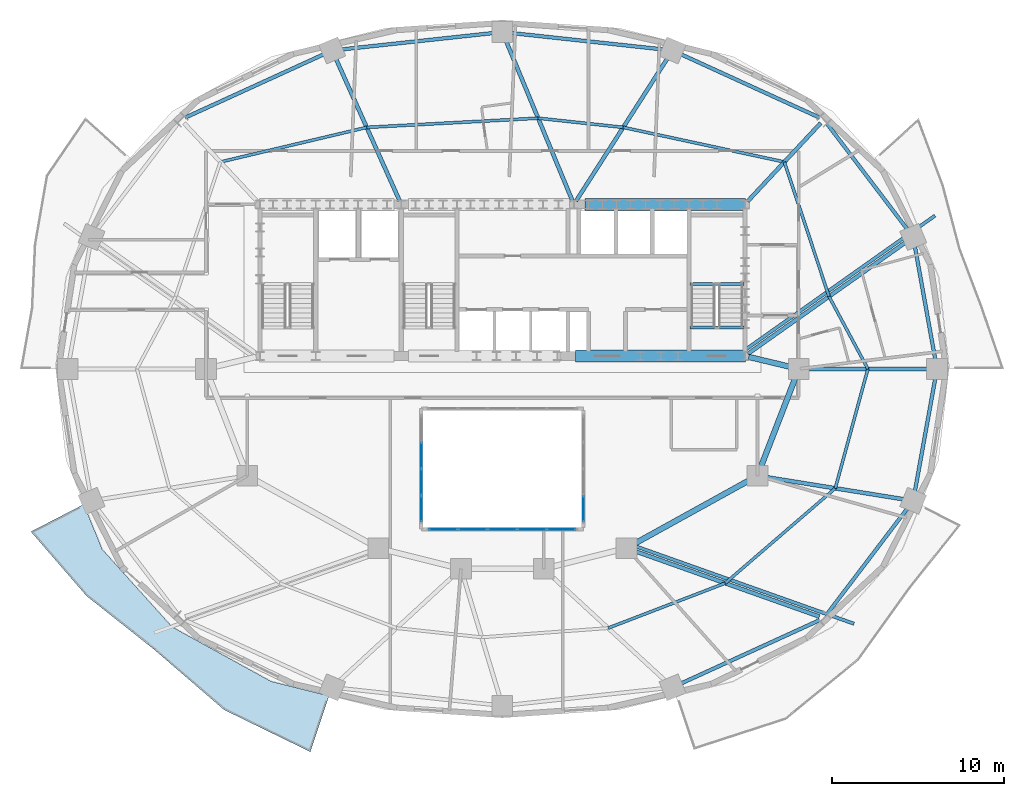
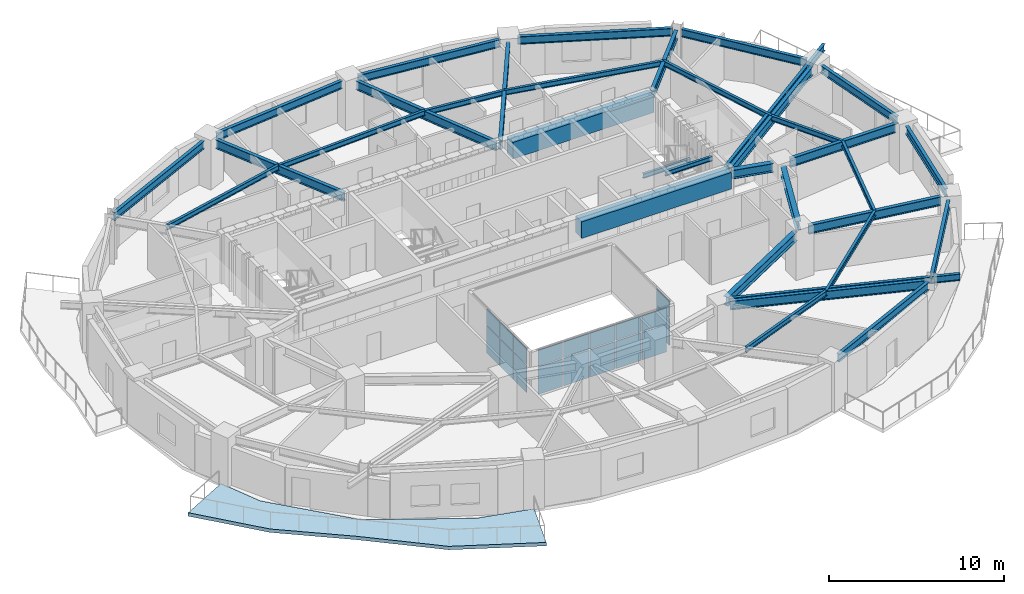
# One storey, part 4 of 13: 35 beams, 18 plates, 1 slab, 3 elements without a shape of their own.
"""IFC4 building model written with IfcOpenShell, lengths in metres."""

from ifc_helpers import new_model, si_unit, direction, frame, origin, origin_2d, place, context, subcontext, project, spatial, polyline, rectangle, i_section, outline, extrude, material, layer, layer_set, material_profile, profile_set, type_object, element, aggregate, save


model = new_model("IFC4")

# Units and contexts
model_context = context("Model", 3, precision=1e-05, world=origin(), true_north=direction((0.0, 1.0)))
body_context = subcontext(model_context, "Body", "Model", "MODEL_VIEW")
ifc_project = project(units=[si_unit("LENGTHUNIT", "METRE"), si_unit("AREAUNIT", "SQUARE_METRE"), si_unit("VOLUMEUNIT", "CUBIC_METRE"), si_unit("PLANEANGLEUNIT", "RADIAN"), si_unit("MASSUNIT", "GRAM", prefix="KILO")], contexts=[model_context])

# Site, building, storey
site_placement = place(None, origin())
site = spatial("IfcSite", under=ifc_project, at=site_placement, CompositionType="ELEMENT")
building_placement = place(site_placement, origin())
building = spatial("IfcBuilding", under=site, at=building_placement, Name="Haldorwick Loom Tower", CompositionType="ELEMENT")
storey_placement = place(building_placement, frame((0.0, 0.0, 139.10009765625)))
storey = spatial("IfcBuildingStorey", under=building, at=storey_placement, Name="L37", CompositionType="ELEMENT", Elevation=139.10009765625)

# Beams
ifc_material_1 = material(Name="Steel CSA G40.21 350W", Category="steel")
ifc_material_profile_1 = material_profile(ifc_material_1, i_section(OverallWidth=0.193115234375, OverallDepth=0.466064453125, WebThickness=0.011474609375, FlangeThickness=0.01904296875, at=origin_2d()), Name="W460X97", Category="steel")
ifc_profile_set_1 = profile_set([ifc_material_profile_1], Name="Steel CSA G40.21 350W")
beam_type_1 = type_object("IfcBeamType", Name="STR-BM-BAL460", PredefinedType="BEAM", material=ifc_profile_set_1)
beam_1_placement = place(storey_placement, frame((43.78369140625, 15.68994140625, 2.976806640625), z_axis=(0.942447955832, -0.334352883266, 0.0), x_axis=(0.334352883266, 0.942447955832, 0.0)))
element("IfcBeam", 1, at=beam_1_placement, inside=storey, type_object=beam_type_1, Name="L37 Continuous Back-Spanned Balcony Beam 1", PredefinedType="BEAM", context=body_context, shape_type="SweptSolid", body=[
    extrude(i_section(OverallWidth=0.193115234375, OverallDepth=0.466064453125, WebThickness=0.011474609375, FlangeThickness=0.01904296875, at=origin_2d()), origin(), (0.0, 0.0, 1.0), 13.385009765625),
])
beam_2_placement = place(storey_placement, frame((50.092041015625, 27.1083984375, 2.976806640625), z_axis=(0.816570288691, 0.577246016554, 0.0), x_axis=(-0.577246016554, 0.816570288691, 0.0)))
element("IfcBeam", 2, at=beam_2_placement, inside=storey, type_object=beam_type_1, Name="L37 Continuous Back-Spanned Balcony Beam 4", PredefinedType="BEAM", context=body_context, shape_type="SweptSolid", body=[
    extrude(i_section(OverallWidth=0.193115234375, OverallDepth=0.466064453125, WebThickness=0.011474609375, FlangeThickness=0.01904296875, at=origin_2d()), origin(), (0.0, 0.0, 1.0), 13.485107421875),
])
ifc_material_2 = material(Name="Concrete C60 (60 MPa)", Category="concrete")
ifc_material_profile_2 = material_profile(ifc_material_2, rectangle(XDim=0.699951171875, YDim=1.14990234375, at=origin_2d()), Name="RC700X1150", Category="concrete")
ifc_profile_set_2 = profile_set([ifc_material_profile_2], Name="Concrete C60 (60 MPa)")
beam_type_2 = type_object("IfcBeamType", Name="STR-BM-CB1150", PredefinedType="LINTEL", material=ifc_profile_set_2)
beam_3_placement = place(storey_placement, frame((40.800048828125, 35.550048828125, 2.635009765625), z_axis=(1.0, 0.0, 0.0), x_axis=(0.0, 1.0, 0.0)))
element("IfcBeam", 3, at=beam_3_placement, inside=storey, type_object=beam_type_2, Name="L37 Core Coupling Beam CB-N3", PredefinedType="LINTEL", context=body_context, shape_type="SweptSolid", body=[
    extrude(rectangle(XDim=0.699951171875, YDim=1.14990234375, at=origin_2d()), origin(), (0.0, 0.0, 1.0), 9.300048828125),
])
beam_4_placement = place(storey_placement, frame((40.25, 26.75, 2.635009765625), z_axis=(1.0, 0.0, 0.0), x_axis=(0.0, 1.0, 0.0)))
element("IfcBeam", 4, at=beam_4_placement, inside=storey, type_object=beam_type_2, Name="L37 Core Coupling Beam CB-S3", PredefinedType="LINTEL", context=body_context, shape_type="SweptSolid", body=[
    extrude(rectangle(XDim=0.699951171875, YDim=1.14990234375, at=origin_2d()), origin(), (0.0, 0.0, 1.0), 9.85009765625),
])
ifc_material_profile_3 = material_profile(ifc_material_1, i_section(OverallWidth=0.172119140625, OverallDepth=0.35791015625, WebThickness=0.0078125, FlangeThickness=0.01318359375, at=origin_2d()), Name="W360X57", Category="steel")
ifc_profile_set_3 = profile_set([ifc_material_profile_3], Name="Steel CSA G40.21 350W")
beam_type_3 = type_object("IfcBeamType", Name="STR-BM-J360", PredefinedType="JOIST", material=ifc_profile_set_3)
beam_5_placement = place(storey_placement, frame((57.20849609375, 26.0, 3.031005859375), z_axis=(-0.472930162238, 0.881099915813, 0.0), x_axis=(-0.881099915813, -0.472930162238, 0.0)))
element("IfcBeam", 5, at=beam_5_placement, inside=storey, type_object=beam_type_3, Name="L37 Mid-Bay Secondary Joist 1", PredefinedType="JOIST", context=body_context, shape_type="SweptSolid", body=[
    extrude(i_section(OverallWidth=0.172119140625, OverallDepth=0.35791015625, WebThickness=0.0078125, FlangeThickness=0.01318359375, at=origin_2d()), origin(), (0.0, 0.0, 1.0), 4.76904296875),
])
beam_6_placement = place(storey_placement, frame((54.953125, 30.201904296875, 3.031005859375), z_axis=(-0.314980632705, 0.949098098734, 0.0), x_axis=(-0.949098098734, -0.314980632705, 0.0)))
element("IfcBeam", 6, at=beam_6_placement, inside=storey, type_object=beam_type_3, Name="L37 Mid-Bay Secondary Joist 2", PredefinedType="JOIST", context=body_context, shape_type="SweptSolid", body=[
    extrude(i_section(OverallWidth=0.172119140625, OverallDepth=0.35791015625, WebThickness=0.0078125, FlangeThickness=0.01318359375, at=origin_2d()), origin(), (0.0, 0.0, 1.0), 8.223876953125),
])
beam_7_placement = place(storey_placement, frame((52.36279296875, 38.007080078125, 3.031005859375), z_axis=(-0.977737366421, 0.209832414808, 0.0), x_axis=(-0.209832414808, -0.977737366421, 0.0)))
element("IfcBeam", 7, at=beam_7_placement, inside=storey, type_object=beam_type_3, Name="L37 Mid-Bay Secondary Joist 3", PredefinedType="JOIST", context=body_context, shape_type="SweptSolid", body=[
    extrude(i_section(OverallWidth=0.172119140625, OverallDepth=0.35791015625, WebThickness=0.0078125, FlangeThickness=0.01318359375, at=origin_2d()), origin(), (0.0, 0.0, 1.0), 9.56396484375),
])
beam_8_placement = place(storey_placement, frame((43.01171875, 40.013916015625, 3.031005859375), z_axis=(-0.994212584227, 0.107430616514, 0.0), x_axis=(-0.107430616514, -0.994212584227, 0.0)))
element("IfcBeam", 8, at=beam_8_placement, inside=storey, type_object=beam_type_3, Name="L37 Mid-Bay Secondary Joist 4", PredefinedType="JOIST", context=body_context, shape_type="SweptSolid", body=[
    extrude(i_section(OverallWidth=0.172119140625, OverallDepth=0.35791015625, WebThickness=0.0078125, FlangeThickness=0.01318359375, at=origin_2d()), origin(), (0.0, 0.0, 1.0), 4.965576171875),
])
beam_9_placement = place(storey_placement, frame((38.074951171875, 40.54736328125, 3.031005859375), z_axis=(-0.998564927415, -0.053554511828, 0.0), x_axis=(0.053554511828, -0.998564927415, 0.0)))
element("IfcBeam", 9, at=beam_9_placement, inside=storey, type_object=beam_type_3, Name="L37 Mid-Bay Secondary Joist 5", PredefinedType="JOIST", context=body_context, shape_type="SweptSolid", body=[
    extrude(i_section(OverallWidth=0.172119140625, OverallDepth=0.35791015625, WebThickness=0.0078125, FlangeThickness=0.01318359375, at=origin_2d()), origin(), (0.0, 0.0, 1.0), 9.9609375),
])
beam_10_placement = place(storey_placement, frame((28.12841796875, 40.013916015625, 3.031005859375), z_axis=(-0.973189168086, -0.230006180612, 0.0), x_axis=(0.230006180612, -0.973189168086, 0.0)))
element("IfcBeam", 10, at=beam_10_placement, inside=storey, type_object=beam_type_3, Name="L37 Mid-Bay Secondary Joist 6", PredefinedType="JOIST", context=body_context, shape_type="SweptSolid", body=[
    extrude(i_section(OverallWidth=0.172119140625, OverallDepth=0.35791015625, WebThickness=0.0078125, FlangeThickness=0.01318359375, at=origin_2d()), origin(), (0.0, 0.0, 1.0), 8.72509765625),
])
beam_11_placement = place(storey_placement, frame((42.13671875, 10.961181640625, 3.031005859375), z_axis=(0.933586737031, 0.358351509609, 0.0), x_axis=(-0.358351509609, 0.933586737031, 0.0)))
element("IfcBeam", 11, at=beam_11_placement, inside=storey, type_object=beam_type_3, Name="L37 Mid-Bay Secondary Joist 14", PredefinedType="JOIST", context=body_context, shape_type="SweptSolid", body=[
    extrude(i_section(OverallWidth=0.172119140625, OverallDepth=0.35791015625, WebThickness=0.0078125, FlangeThickness=0.01318359375, at=origin_2d()), origin(), (0.0, 0.0, 1.0), 7.274169921875),
])
beam_12_placement = place(storey_placement, frame((48.927734375, 13.56787109375, 3.031005859375), z_axis=(0.75763401328, 0.652679631918, 0.0), x_axis=(-0.652679631918, 0.75763401328, 0.0)))
element("IfcBeam", 12, at=beam_12_placement, inside=storey, type_object=beam_type_3, Name="L37 Mid-Bay Secondary Joist 15", PredefinedType="JOIST", context=body_context, shape_type="SweptSolid", body=[
    extrude(i_section(OverallWidth=0.172119140625, OverallDepth=0.35791015625, WebThickness=0.0078125, FlangeThickness=0.01318359375, at=origin_2d()), origin(), (0.0, 0.0, 1.0), 8.4345703125),
])
beam_13_placement = place(storey_placement, frame((55.318115234375, 19.072998046875, 3.031005859375), z_axis=(0.263272762578, 0.964721437766, 0.0), x_axis=(-0.964721437766, 0.263272762578, 0.0)))
element("IfcBeam", 13, at=beam_13_placement, inside=storey, type_object=beam_type_3, Name="L37 Mid-Bay Secondary Joist 16", PredefinedType="JOIST", context=body_context, shape_type="SweptSolid", body=[
    extrude(i_section(OverallWidth=0.172119140625, OverallDepth=0.35791015625, WebThickness=0.0078125, FlangeThickness=0.01318359375, at=origin_2d()), origin(), (0.0, 0.0, 1.0), 7.180419921875),
])
ifc_material_profile_4 = material_profile(ifc_material_1, i_section(OverallWidth=0.2119140625, OverallDepth=0.5439453125, WebThickness=0.01318359375, FlangeThickness=0.021240234375, at=origin_2d()), Name="W530X123", Category="steel")
ifc_profile_set_4 = profile_set([ifc_material_profile_4], Name="Steel CSA G40.21 350W")
beam_type_4 = type_object("IfcBeamType", Name="STR-BM-SP530", PredefinedType="SPANDREL", material=ifc_profile_set_4)
beam_14_placement = place(storey_placement, frame((61.124755859375, 26.51171875, 2.93798828125), z_axis=(-0.177558730702, 0.984110205796, 0.0), x_axis=(-0.984110205796, -0.177558730702, 0.0)))
element("IfcBeam", 14, at=beam_14_placement, inside=storey, type_object=beam_type_4, Name="L37 Perimeter Spandrel 1", PredefinedType="SPANDREL", context=body_context, shape_type="SweptSolid", body=[
    extrude(i_section(OverallWidth=0.2119140625, OverallDepth=0.5439453125, WebThickness=0.01318359375, FlangeThickness=0.021240234375, at=origin_2d()), origin(), (0.0, 0.0, 1.0), 6.737548828125),
])
beam_15_placement = place(storey_placement, frame((59.521240234375, 34.067626953125, 2.93798828125), z_axis=(-0.605421356486, 0.795905133236, 0.0), x_axis=(-0.795905133236, -0.605421356486, 0.0)))
element("IfcBeam", 15, at=beam_15_placement, inside=storey, type_object=beam_type_4, Name="L37 Perimeter Spandrel 2", PredefinedType="SPANDREL", context=body_context, shape_type="SweptSolid", body=[
    extrude(i_section(OverallWidth=0.2119140625, OverallDepth=0.5439453125, WebThickness=0.01318359375, FlangeThickness=0.021240234375, at=origin_2d()), origin(), (0.0, 0.0, 1.0), 7.761962890625),
])
beam_16_placement = place(storey_placement, frame((54.405517578125, 40.57861328125, 2.93798828125), z_axis=(-0.909534296496, 0.415628877121, 0.0), x_axis=(-0.415628877121, -0.909534296496, 0.0)))
element("IfcBeam", 16, at=beam_16_placement, inside=storey, type_object=beam_type_4, Name="L37 Perimeter Spandrel 3", PredefinedType="SPANDREL", context=body_context, shape_type="SweptSolid", body=[
    extrude(i_section(OverallWidth=0.2119140625, OverallDepth=0.5439453125, WebThickness=0.01318359375, FlangeThickness=0.021240234375, at=origin_2d()), origin(), (0.0, 0.0, 1.0), 8.86083984375),
])
for number, where, z_axis, x_axis, name in (
    (17, (45.356201171875, 44.533447265625, 2.93798828125), (-0.994210140187, 0.107453232386, 0.0), (-0.107453232386, -0.994210140187, 0.0), "L37 Perimeter Spandrel 4"),
    (18, (35.48291015625, 45.48876953125, 2.93798828125), (-0.994210140187, -0.107453232386, 0.0), (0.107453232386, -0.994210140187, 0.0), "L37 Perimeter Spandrel 5"),
):
    element("IfcBeam", number, at=place(storey_placement, frame(where, z_axis=z_axis, x_axis=x_axis)), inside=storey, type_object=beam_type_4, Name=name, PredefinedType="SPANDREL", context=body_context, shape_type="SweptSolid", body=[
        extrude(i_section(OverallWidth=0.2119140625, OverallDepth=0.5439453125, WebThickness=0.01318359375, FlangeThickness=0.021240234375, at=origin_2d()), origin(), (0.0, 0.0, 1.0), 8.890625),
    ])
for number, where, z_axis, x_axis, name in (
    (19, (25.65380859375, 44.261474609375, 2.93798828125), (-0.909534296496, -0.415628877121, 0.0), (0.415628877121, -0.909534296496, 0.0), "L37 Perimeter Spandrel 6"),
    (20, (46.34619140625, 7.738525390625, 2.93798828125), (0.909534296496, 0.415628877121, 0.0), (-0.415628877121, 0.909534296496, 0.0), "L37 Perimeter Spandrel 14"),
):
    element("IfcBeam", number, at=place(storey_placement, frame(where, z_axis=z_axis, x_axis=x_axis)), inside=storey, type_object=beam_type_4, Name=name, PredefinedType="SPANDREL", context=body_context, shape_type="SweptSolid", body=[
        extrude(i_section(OverallWidth=0.2119140625, OverallDepth=0.5439453125, WebThickness=0.01318359375, FlangeThickness=0.021240234375, at=origin_2d()), origin(), (0.0, 0.0, 1.0), 8.86083984375),
    ])
beam_17_placement = place(storey_placement, frame((54.822021484375, 11.754638671875, 2.93798828125), z_axis=(0.605421356486, 0.795905133236, 0.0), x_axis=(-0.795905133236, 0.605421356486, 0.0)))
element("IfcBeam", 21, at=beam_17_placement, inside=storey, type_object=beam_type_4, Name="L37 Perimeter Spandrel 15", PredefinedType="SPANDREL", context=body_context, shape_type="SweptSolid", body=[
    extrude(i_section(OverallWidth=0.2119140625, OverallDepth=0.5439453125, WebThickness=0.01318359375, FlangeThickness=0.021240234375, at=origin_2d()), origin(), (0.0, 0.0, 1.0), 7.761962890625),
])
beam_18_placement = place(storey_placement, frame((59.928466796875, 18.85791015625, 2.93798828125), z_axis=(0.177558730702, 0.984110205796, 0.0), x_axis=(-0.984110205796, 0.177558730702, 0.0)))
element("IfcBeam", 22, at=beam_18_placement, inside=storey, type_object=beam_type_4, Name="L37 Perimeter Spandrel 16", PredefinedType="SPANDREL", context=body_context, shape_type="SweptSolid", body=[
    extrude(i_section(OverallWidth=0.2119140625, OverallDepth=0.5439453125, WebThickness=0.01318359375, FlangeThickness=0.021240234375, at=origin_2d()), origin(), (0.0, 0.0, 1.0), 6.737548828125),
])
ifc_material_profile_5 = material_profile(ifc_material_1, i_section(OverallWidth=0.166015625, OverallDepth=0.31298828125, WebThickness=0.006591796875, FlangeThickness=0.01123046875, at=origin_2d()), Name="W310X45", Category="steel")
ifc_profile_set_5 = profile_set([ifc_material_profile_5], Name="Steel CSA G40.21 350W")
beam_type_5 = type_object("IfcBeamType", Name="STR-BM-STRM", PredefinedType="BEAM", material=ifc_profile_set_5)
for number, where, z_axis, x_axis, name in (
    (23, (46.889892578125, 28.39990234375, 3.053466796875), (1.0, 0.0, 0.0), (0.0, 1.0, 0.0), "L37 Stair ST-02 Landing Edge Trimmer"),
    (24, (46.889892578125, 30.919921875, 1.368408203125), (1.0, 0.0, 0.0), (0.0, 1.0, 0.0), "L37 Stair ST-02 Half-Landing Trimmer 1"),
):
    element("IfcBeam", number, at=place(storey_placement, frame(where, z_axis=z_axis, x_axis=x_axis)), inside=storey, type_object=beam_type_5, Name=name, PredefinedType="BEAM", context=body_context, shape_type="SweptSolid", body=[
        extrude(i_section(OverallWidth=0.166015625, OverallDepth=0.31298828125, WebThickness=0.006591796875, FlangeThickness=0.01123046875, at=origin_2d()), origin(), (0.0, 0.0, 1.0), 3.1201171875),
    ])
ifc_material_profile_6 = material_profile(ifc_material_1, i_section(OverallWidth=0.324951171875, OverallDepth=0.615966796875, WebThickness=0.013916015625, FlangeThickness=0.021484375, at=origin_2d()), Name="W610X174", Category="steel")
ifc_profile_set_6 = profile_set([ifc_material_profile_6], Name="Steel CSA G40.21 350W")
beam_type_6 = type_object("IfcBeamType", Name="STR-BM-W610A", PredefinedType="BEAM", material=ifc_profile_set_6)
beam_19_placement = place(storey_placement, frame((50.288818359375, 26.697509765625, 2.90185546875), z_axis=(0.97247055837, -0.233025777764, 0.0), x_axis=(0.233025777764, 0.97247055837, 0.0)))
element("IfcBeam", 25, at=beam_19_placement, inside=storey, type_object=beam_type_6, Name="L37 Inner Ring Girder 1", PredefinedType="BEAM", context=body_context, shape_type="SweptSolid", body=[
    extrude(i_section(OverallWidth=0.324951171875, OverallDepth=0.615966796875, WebThickness=0.013916015625, FlangeThickness=0.021484375, at=origin_2d()), origin(), (0.0, 0.0, 1.0), 2.4736328125),
])
beam_20_placement = place(storey_placement, frame((53.01220703125, 25.51513671875, 2.90185546875), z_axis=(-0.360964792353, -0.93257944363, 0.0), x_axis=(0.93257944363, -0.360964792353, 0.0)))
element("IfcBeam", 26, at=beam_20_placement, inside=storey, type_object=beam_type_6, Name="L37 Inner Ring Girder 2", PredefinedType="BEAM", context=body_context, shape_type="SweptSolid", body=[
    extrude(i_section(OverallWidth=0.324951171875, OverallDepth=0.615966796875, WebThickness=0.013916015625, FlangeThickness=0.021484375, at=origin_2d()), origin(), (0.0, 0.0, 1.0), 5.6083984375),
])
beam_21_placement = place(storey_placement, frame((50.344970703125, 19.548583984375, 2.90185546875), z_axis=(-0.875244382146, -0.483680960471, 0.0), x_axis=(0.483680960471, -0.875244382146, 0.0)))
element("IfcBeam", 27, at=beam_21_placement, inside=storey, type_object=beam_type_6, Name="L37 Inner Ring Girder 3", PredefinedType="BEAM", context=body_context, shape_type="SweptSolid", body=[
    extrude(i_section(OverallWidth=0.324951171875, OverallDepth=0.615966796875, WebThickness=0.013916015625, FlangeThickness=0.021484375, at=origin_2d()), origin(), (0.0, 0.0, 1.0), 7.6435546875),
])
ifc_material_profile_7 = material_profile(ifc_material_1, i_section(OverallWidth=0.22998046875, OverallDepth=0.616943359375, WebThickness=0.01318359375, FlangeThickness=0.022216796875, at=origin_2d()), Name="W610X140", Category="steel")
ifc_profile_set_7 = profile_set([ifc_material_profile_7], Name="Steel CSA G40.21 350W")
beam_type_7 = type_object("IfcBeamType", Name="STR-BM-W610B", PredefinedType="BEAM", material=ifc_profile_set_7)
beam_22_placement = place(storey_placement, frame((53.719970703125, 26.0, 2.9013671875), z_axis=(1.0, 0.0, 0.0), x_axis=(0.0, 1.0, 0.0)))
element("IfcBeam", 28, at=beam_22_placement, inside=storey, type_object=beam_type_7, Name="L37 Radial Floor Girder 1", PredefinedType="BEAM", context=body_context, shape_type="SweptSolid", body=[
    extrude(i_section(OverallWidth=0.22998046875, OverallDepth=0.616943359375, WebThickness=0.01318359375, FlangeThickness=0.022216796875, at=origin_2d()), origin(), (0.0, 0.0, 1.0), 6.97705078125),
])
beam_23_placement = place(storey_placement, frame((50.253662109375, 26.8798828125, 2.9013671875), z_axis=(0.816581567299, 0.577230061542, 0.0), x_axis=(-0.577230061542, 0.816581567299, 0.0)))
element("IfcBeam", 29, at=beam_23_placement, inside=storey, type_object=beam_type_7, Name="L37 Radial Floor Girder 2", PredefinedType="BEAM", context=body_context, shape_type="SweptSolid", body=[
    extrude(i_section(OverallWidth=0.22998046875, OverallDepth=0.616943359375, WebThickness=0.01318359375, FlangeThickness=0.022216796875, at=origin_2d()), origin(), (0.0, 0.0, 1.0), 11.215087890625),
])
beam_24_placement = place(storey_placement, frame((50.223388671875, 35.714599609375, 2.9013671875), z_axis=(0.682256728841, 0.731112683484, 0.0), x_axis=(-0.731112683484, 0.682256728841, 0.0)))
element("IfcBeam", 30, at=beam_24_placement, inside=storey, type_object=beam_type_7, Name="L37 Radial Floor Girder 3", PredefinedType="BEAM", context=body_context, shape_type="SweptSolid", body=[
    extrude(i_section(OverallWidth=0.22998046875, OverallDepth=0.616943359375, WebThickness=0.01318359375, FlangeThickness=0.022216796875, at=origin_2d()), origin(), (0.0, 0.0, 1.0), 6.221435546875),
])
beam_25_placement = place(storey_placement, frame((40.271484375, 35.739501953125, 2.9013671875), z_axis=(0.53969086509, 0.841863272829, 0.0), x_axis=(-0.841863272829, 0.53969086509, 0.0)))
element("IfcBeam", 31, at=beam_25_placement, inside=storey, type_object=beam_type_7, Name="L37 Radial Floor Girder 4", PredefinedType="BEAM", context=body_context, shape_type="SweptSolid", body=[
    extrude(i_section(OverallWidth=0.22998046875, OverallDepth=0.616943359375, WebThickness=0.01318359375, FlangeThickness=0.022216796875, at=origin_2d()), origin(), (0.0, 0.0, 1.0), 9.859375),
])
beam_26_placement = place(storey_placement, frame((40.063720703125, 35.7578125, 2.9013671875), z_axis=(-0.383472813848, 0.923552164764, 0.0), x_axis=(-0.923552164764, -0.383472813848, 0.0)))
element("IfcBeam", 32, at=beam_26_placement, inside=storey, type_object=beam_type_7, Name="L37 Radial Floor Girder 5", PredefinedType="BEAM", context=body_context, shape_type="SweptSolid", body=[
    extrude(i_section(OverallWidth=0.22998046875, OverallDepth=0.616943359375, WebThickness=0.01318359375, FlangeThickness=0.022216796875, at=origin_2d()), origin(), (0.0, 0.0, 1.0), 10.076904296875),
])
beam_27_placement = place(storey_placement, frame((30.037841796875, 35.75537109375, 2.9013671875), z_axis=(-0.409143536778, 0.912470035844, 0.0), x_axis=(-0.912470035844, -0.409143536778, 0.0)))
element("IfcBeam", 33, at=beam_27_placement, inside=storey, type_object=beam_type_7, Name="L37 Radial Floor Girder 6", PredefinedType="BEAM", context=body_context, shape_type="SweptSolid", body=[
    extrude(i_section(OverallWidth=0.22998046875, OverallDepth=0.616943359375, WebThickness=0.01318359375, FlangeThickness=0.022216796875, at=origin_2d()), origin(), (0.0, 0.0, 1.0), 9.0390625),
])
beam_28_placement = place(storey_placement, frame((43.690185546875, 15.426025390625, 2.9013671875), z_axis=(0.9424463153, -0.334357507433, 0.0), x_axis=(0.334357507433, 0.9424463153, 0.0)))
element("IfcBeam", 34, at=beam_28_placement, inside=storey, type_object=beam_type_7, Name="L37 Radial Floor Girder 15", PredefinedType="BEAM", context=body_context, shape_type="SweptSolid", body=[
    extrude(i_section(OverallWidth=0.22998046875, OverallDepth=0.616943359375, WebThickness=0.01318359375, FlangeThickness=0.022216796875, at=origin_2d()), origin(), (0.0, 0.0, 1.0), 11.360107421875),
])
beam_29_placement = place(storey_placement, frame((51.3134765625, 19.71728515625, 2.9013671875), z_axis=(0.987308639475, -0.158813256432, 0.0), x_axis=(0.158813256432, 0.987308639475, 0.0)))
element("IfcBeam", 35, at=beam_29_placement, inside=storey, type_object=beam_type_7, Name="L37 Radial Floor Girder 16", PredefinedType="BEAM", context=body_context, shape_type="SweptSolid", body=[
    extrude(i_section(OverallWidth=0.22998046875, OverallDepth=0.616943359375, WebThickness=0.01318359375, FlangeThickness=0.022216796875, at=origin_2d()), origin(), (0.0, 0.0, 1.0), 8.1123046875),
])

# Curtain wall, plates
ifc_material_3 = material(Name="Thermally Broken Anodized Aluminium Curtain Wall Framing", Category="aluminium")
curtain_wall_type = type_object("IfcCurtainWallType", Name="ARC-CW-03", PredefinedType="NOTDEFINED", material=ifc_material_3)
curtain_wall_1_placement = place(storey_placement, origin())
curtain_wall_1 = element("IfcCurtainWall", 36, at=curtain_wall_1_placement, inside=storey, type_object=curtain_wall_type, Name="L37 Atrium Glazed Screen S", PredefinedType="NOTDEFINED")
ifc_material_4 = material(Name="Triple-Glazed Low-E Argon Insulated Glazing Unit", Category="glass")
ifc_layer_1 = layer(ifc_material_4, 0.04296875, Name="Triple-Glazed Low-E Argon Insulated Glazing Unit", Category="glass")
ifc_layer_set_1 = layer_set([ifc_layer_1], Name="Triple-Glazed Low-E Argon Insulated Glazing Unit")
plate_type = type_object("IfcPlateType", Name="ARC-CWP-03", PredefinedType="CURTAIN_PANEL", material=ifc_layer_set_1)
plate_1_placement = place(storey_placement, frame((39.423583984375, 16.699951171875, 0.06591796875), z_axis=(0.0, 0.0, 1.0), x_axis=(-1.0, 0.0, 0.0)))
plate_1 = element("IfcPlate", 37, at=plate_1_placement, type_object=plate_type, Name="CW-03 panel 1.1", PredefinedType="CURTAIN_PANEL", context=body_context, shape_type="SweptSolid", body=[
    extrude(rectangle(XDim=1.62109375, YDim=0.04296875, at=origin_2d()), origin(), (0.0, 0.0, 1.0), 1.90087890625),
])
plate_2_placement = place(storey_placement, frame((39.423583984375, 16.699951171875, 2.03271484375), z_axis=(0.0, 0.0, 1.0), x_axis=(-1.0, 0.0, 0.0)))
plate_2 = element("IfcPlate", 38, at=plate_2_placement, type_object=plate_type, Name="CW-03 panel 1.2", PredefinedType="CURTAIN_PANEL", context=body_context, shape_type="SweptSolid", body=[
    extrude(rectangle(XDim=1.62109375, YDim=0.04296875, at=origin_2d()), origin(), (0.0, 0.0, 1.0), 1.111083984375),
])
plate_3_placement = place(storey_placement, frame((37.719970703125, 16.699951171875, 0.06591796875), z_axis=(0.0, 0.0, 1.0), x_axis=(-1.0, 0.0, 0.0)))
plate_3 = element("IfcPlate", 39, at=plate_3_placement, type_object=plate_type, Name="CW-03 panel 2.1", PredefinedType="CURTAIN_PANEL", context=body_context, shape_type="SweptSolid", body=[
    extrude(rectangle(XDim=1.654052734375, YDim=0.04296875, at=origin_2d()), origin(), (0.0, 0.0, 1.0), 1.90087890625),
])
plate_4_placement = place(storey_placement, frame((37.719970703125, 16.699951171875, 2.03271484375), z_axis=(0.0, 0.0, 1.0), x_axis=(-1.0, 0.0, 0.0)))
plate_4 = element("IfcPlate", 40, at=plate_4_placement, type_object=plate_type, Name="CW-03 panel 2.2", PredefinedType="CURTAIN_PANEL", context=body_context, shape_type="SweptSolid", body=[
    extrude(rectangle(XDim=1.654052734375, YDim=0.04296875, at=origin_2d()), origin(), (0.0, 0.0, 1.0), 1.111083984375),
])
plate_5_placement = place(storey_placement, frame((36.0, 16.699951171875, 0.06591796875), z_axis=(0.0, 0.0, 1.0), x_axis=(-1.0, 0.0, 0.0)))
plate_5 = element("IfcPlate", 41, at=plate_5_placement, type_object=plate_type, Name="CW-03 panel 3.1", PredefinedType="CURTAIN_PANEL", context=body_context, shape_type="SweptSolid", body=[
    extrude(rectangle(XDim=1.654052734375, YDim=0.04296875, at=origin_2d()), origin(), (0.0, 0.0, 1.0), 1.90087890625),
])
plate_6_placement = place(storey_placement, frame((36.0, 16.699951171875, 2.03271484375), z_axis=(0.0, 0.0, 1.0), x_axis=(-1.0, 0.0, 0.0)))
plate_6 = element("IfcPlate", 42, at=plate_6_placement, type_object=plate_type, Name="CW-03 panel 3.2", PredefinedType="CURTAIN_PANEL", context=body_context, shape_type="SweptSolid", body=[
    extrude(rectangle(XDim=1.654052734375, YDim=0.04296875, at=origin_2d()), origin(), (0.0, 0.0, 1.0), 1.111083984375),
])
plate_7_placement = place(storey_placement, frame((34.280029296875, 16.699951171875, 0.06591796875), z_axis=(0.0, 0.0, 1.0), x_axis=(-1.0, 0.0, 0.0)))
plate_7 = element("IfcPlate", 43, at=plate_7_placement, type_object=plate_type, Name="CW-03 panel 4.1", PredefinedType="CURTAIN_PANEL", context=body_context, shape_type="SweptSolid", body=[
    extrude(rectangle(XDim=1.654052734375, YDim=0.04296875, at=origin_2d()), origin(), (0.0, 0.0, 1.0), 1.90087890625),
])
plate_8_placement = place(storey_placement, frame((34.280029296875, 16.699951171875, 2.03271484375), z_axis=(0.0, 0.0, 1.0), x_axis=(-1.0, 0.0, 0.0)))
plate_8 = element("IfcPlate", 44, at=plate_8_placement, type_object=plate_type, Name="CW-03 panel 4.2", PredefinedType="CURTAIN_PANEL", context=body_context, shape_type="SweptSolid", body=[
    extrude(rectangle(XDim=1.654052734375, YDim=0.04296875, at=origin_2d()), origin(), (0.0, 0.0, 1.0), 1.111083984375),
])
plate_9_placement = place(storey_placement, frame((32.576416015625, 16.699951171875, 0.06591796875), z_axis=(0.0, 0.0, 1.0), x_axis=(-1.0, 0.0, 0.0)))
plate_9 = element("IfcPlate", 45, at=plate_9_placement, type_object=plate_type, Name="CW-03 panel 5.1", PredefinedType="CURTAIN_PANEL", context=body_context, shape_type="SweptSolid", body=[
    extrude(rectangle(XDim=1.62109375, YDim=0.04296875, at=origin_2d()), origin(), (0.0, 0.0, 1.0), 1.90087890625),
])
plate_10_placement = place(storey_placement, frame((32.576416015625, 16.699951171875, 2.03271484375), z_axis=(0.0, 0.0, 1.0), x_axis=(-1.0, 0.0, 0.0)))
plate_10 = element("IfcPlate", 46, at=plate_10_placement, type_object=plate_type, Name="CW-03 panel 5.2", PredefinedType="CURTAIN_PANEL", context=body_context, shape_type="SweptSolid", body=[
    extrude(rectangle(XDim=1.62109375, YDim=0.04296875, at=origin_2d()), origin(), (0.0, 0.0, 1.0), 1.111083984375),
])
aggregate(curtain_wall_1, [plate_1, plate_2, plate_3, plate_4, plate_5, plate_6, plate_7, plate_8, plate_9, plate_10])

curtain_wall_2_placement = place(storey_placement, origin())
curtain_wall_2 = element("IfcCurtainWall", 47, at=curtain_wall_2_placement, inside=storey, type_object=curtain_wall_type, Name="L37 Atrium Glazed Screen W", PredefinedType="NOTDEFINED")
plate_11_placement = place(storey_placement, frame((31.300048828125, 17.8916015625, 0.06591796875), z_axis=(0.0, 0.0, 1.0), x_axis=(0.0, 1.0, 0.0)))
plate_11 = element("IfcPlate", 48, at=plate_11_placement, type_object=plate_type, Name="CW-03 panel 1.1", PredefinedType="CURTAIN_PANEL", context=body_context, shape_type="SweptSolid", body=[
    extrude(rectangle(XDim=1.450927734375, YDim=0.04296875, at=origin_2d()), origin(), (0.0, 0.0, 1.0), 1.90087890625),
])
plate_12_placement = place(storey_placement, frame((31.300048828125, 17.8916015625, 2.03271484375), z_axis=(0.0, 0.0, 1.0), x_axis=(0.0, 1.0, 0.0)))
plate_12 = element("IfcPlate", 49, at=plate_12_placement, type_object=plate_type, Name="CW-03 panel 1.2", PredefinedType="CURTAIN_PANEL", context=body_context, shape_type="SweptSolid", body=[
    extrude(rectangle(XDim=1.450927734375, YDim=0.04296875, at=origin_2d()), origin(), (0.0, 0.0, 1.0), 1.111083984375),
])
plate_13_placement = place(storey_placement, frame((31.300048828125, 19.425048828125, 0.06591796875), z_axis=(0.0, 0.0, 1.0), x_axis=(0.0, 1.0, 0.0)))
plate_13 = element("IfcPlate", 50, at=plate_13_placement, type_object=plate_type, Name="CW-03 panel 2.1", PredefinedType="CURTAIN_PANEL", context=body_context, shape_type="SweptSolid", body=[
    extrude(rectangle(XDim=1.48388671875, YDim=0.04296875, at=origin_2d()), origin(), (0.0, 0.0, 1.0), 1.90087890625),
])
plate_14_placement = place(storey_placement, frame((31.300048828125, 19.425048828125, 2.03271484375), z_axis=(0.0, 0.0, 1.0), x_axis=(0.0, 1.0, 0.0)))
plate_14 = element("IfcPlate", 51, at=plate_14_placement, type_object=plate_type, Name="CW-03 panel 2.2", PredefinedType="CURTAIN_PANEL", context=body_context, shape_type="SweptSolid", body=[
    extrude(rectangle(XDim=1.48388671875, YDim=0.04296875, at=origin_2d()), origin(), (0.0, 0.0, 1.0), 1.111083984375),
])
plate_15_placement = place(storey_placement, frame((31.300048828125, 20.97509765625, 0.06591796875), z_axis=(0.0, 0.0, 1.0), x_axis=(0.0, 1.0, 0.0)))
plate_15 = element("IfcPlate", 52, at=plate_15_placement, type_object=plate_type, Name="CW-03 panel 3.1", PredefinedType="CURTAIN_PANEL", context=body_context, shape_type="SweptSolid", body=[
    extrude(rectangle(XDim=1.48388671875, YDim=0.04296875, at=origin_2d()), origin(), (0.0, 0.0, 1.0), 1.90087890625),
])
plate_16_placement = place(storey_placement, frame((31.300048828125, 20.97509765625, 2.03271484375), z_axis=(0.0, 0.0, 1.0), x_axis=(0.0, 1.0, 0.0)))
plate_16 = element("IfcPlate", 53, at=plate_16_placement, type_object=plate_type, Name="CW-03 panel 3.2", PredefinedType="CURTAIN_PANEL", context=body_context, shape_type="SweptSolid", body=[
    extrude(rectangle(XDim=1.48388671875, YDim=0.04296875, at=origin_2d()), origin(), (0.0, 0.0, 1.0), 1.111083984375),
])
aggregate(curtain_wall_2, [plate_11, plate_12, plate_13, plate_14, plate_15, plate_16])

curtain_wall_3_placement = place(storey_placement, origin())
curtain_wall_3 = element("IfcCurtainWall", 54, at=curtain_wall_3_placement, inside=storey, type_object=curtain_wall_type, Name="L37 Atrium Glazed Screen E", PredefinedType="NOTDEFINED")
plate_17_placement = place(storey_placement, frame((40.699951171875, 17.8916015625, 0.06591796875), z_axis=(0.0, 0.0, 1.0), x_axis=(0.0, -1.0, 0.0)))
plate_17 = element("IfcPlate", 55, at=plate_17_placement, type_object=plate_type, Name="CW-03 panel 4.1", PredefinedType="CURTAIN_PANEL", context=body_context, shape_type="SweptSolid", body=[
    extrude(rectangle(XDim=1.450927734375, YDim=0.04296875, at=origin_2d()), origin(), (0.0, 0.0, 1.0), 1.90087890625),
])
plate_18_placement = place(storey_placement, frame((40.699951171875, 17.8916015625, 2.03271484375), z_axis=(0.0, 0.0, 1.0), x_axis=(0.0, -1.0, 0.0)))
plate_18 = element("IfcPlate", 56, at=plate_18_placement, type_object=plate_type, Name="CW-03 panel 4.2", PredefinedType="CURTAIN_PANEL", context=body_context, shape_type="SweptSolid", body=[
    extrude(rectangle(XDim=1.450927734375, YDim=0.04296875, at=origin_2d()), origin(), (0.0, 0.0, 1.0), 1.111083984375),
])
aggregate(curtain_wall_3, [plate_17, plate_18])

# Slab
ifc_material_5 = material(Name="Concrete C40 (40 MPa)", Category="concrete")
ifc_layer_2 = layer(ifc_material_5, 0.239990234375, Name="Concrete C40 (40 MPa)", Category="concrete")
ifc_layer_set_2 = layer_set([ifc_layer_2], Name="Concrete C40 (40 MPa)")
slab_type = type_object("IfcSlabType", Name="STR-SLB-BAL240", PredefinedType="FLOOR", material=ifc_layer_set_2)
slab_placement = place(storey_placement, frame((0.0, 0.0, -0.239990234375)))
element("IfcSlab", 57, at=slab_placement, inside=storey, type_object=slab_type, Name="L37 Sinusoidal Balcony Terrace BAL_SW", PredefinedType="FLOOR", context=body_context, shape_type="SweptSolid", body=[
    extrude(outline(polyline([(25.94091796875, 7.027587890625), (22.6005859375, 7.861572265625), (22.599365234375, 7.86181640625), (22.59814453125, 7.8623046875), (22.596923828125, 7.863037109375), (16.84228515625, 11.02783203125), (16.8408203125, 11.028564453125), (16.83935546875, 11.02978515625), (16.83837890625, 11.031005859375), (12.786865234375, 15.526123046875), (12.785888671875, 15.527099609375), (12.78515625, 15.528076171875), (12.78466796875, 15.529296875), (12.783935546875, 15.530517578125), (11.7158203125, 18.141357421875), (8.64599609375, 16.555908203125), (11.87451171875, 12.824951171875), (15.80810546875, 9.707763671875), (19.8486328125, 6.222412109375), (24.8583984375, 3.783447265625), (25.94091796875, 7.027587890625)])), origin(), (0.0, 0.0, 1.0), 0.239990234375),
])

save(model, "model.ifc")
